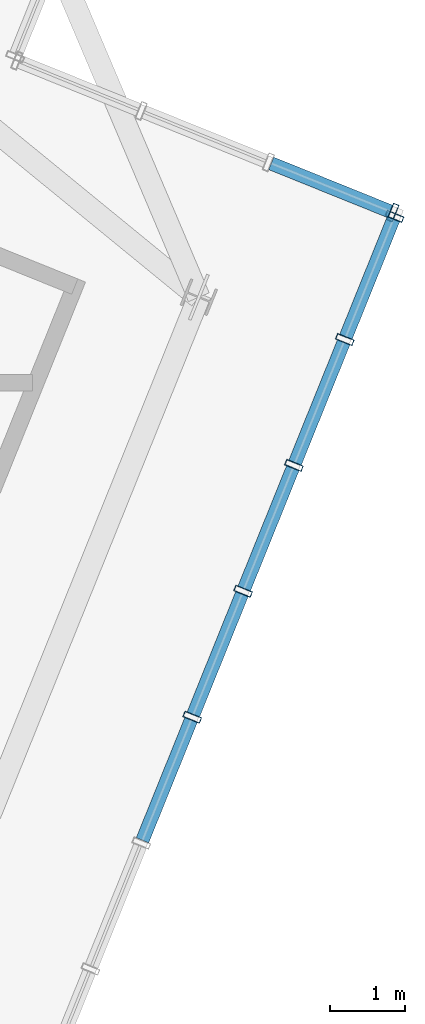
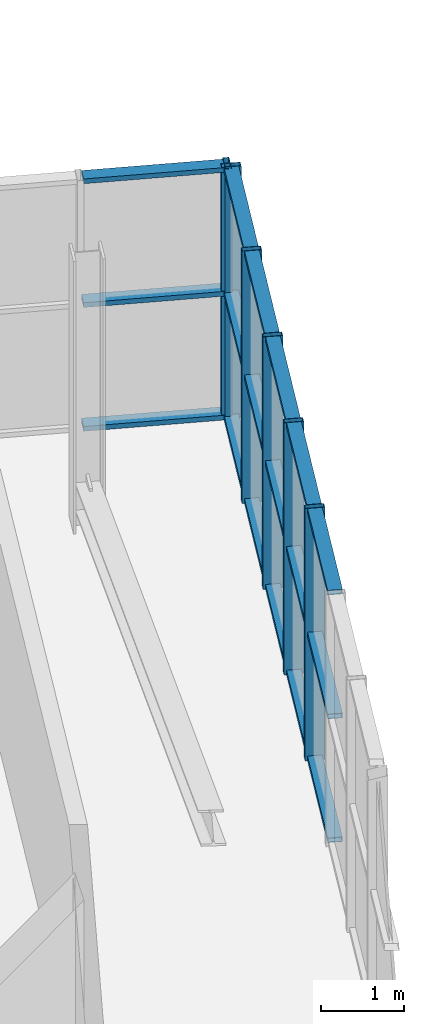
# One storey, part 11 of 26: 24 members, 2 elements without a shape of their own.
"""IFC4 building model written with IfcOpenShell, lengths in metres."""

import ifcopenshell
import ifcopenshell.guid

model = None  # the IFC model being written
_history = None  # IfcOwnerHistory: only IFC2X3 demands one
_inside = {}  # id of a spatial element -> (the spatial element, [elements in it])
_under = {}  # id of a project, library or spatial element -> (it, [spatial elements below it])
_declared = {}  # id of a project -> (the project, [libraries it declares])
_typed = {}  # id of a type object -> (the type object, [elements of that type])
_made_of = {}  # id of a material, layer set ... -> (it, [elements and type objects made of it])


def new_model(schema):
    """Start an empty IFC model of exactly this schema.

    Asked for "IFC4X3", IfcOpenShell would pick the latest addendum, in which some entities
    have other attributes; the version numbers below select the first issue.
    IFC2X3 requires an IfcOwnerHistory on every rooted entity: one is made here for all.
    """
    global model, _history
    if schema == "IFC4X3":
        model = ifcopenshell.file(schema_version=(4, 3, 0, 0))
    else:
        model = ifcopenshell.file(schema=schema)
    _inside.clear()
    _under.clear()
    _declared.clear()
    _typed.clear()
    _made_of.clear()
    _history = None
    if model.schema == "IFC2X3":
        org = make("IfcOrganization", Name="unknown")
        user = make(
            "IfcPersonAndOrganization",
            ThePerson=make("IfcPerson", FamilyName="unknown"),
            TheOrganization=org,
        )
        app = make(
            "IfcApplication",
            ApplicationDeveloper=org,
            Version="unknown",
            ApplicationFullName="unknown",
            ApplicationIdentifier="unknown",
        )
        _history = make(
            "IfcOwnerHistory",
            OwningUser=user,
            OwningApplication=app,
            ChangeAction="ADDED",
            CreationDate=0,
        )
    return model


def make(cls, **values):
    """One entity of the class cls with the attributes given. An attribute that is None is left unset."""
    return model.create_entity(
        cls, **{name: value for name, value in values.items() if value is not None}
    )


def rooted(cls, **values):
    """An entity with a GlobalId (a new one), such as an element, a storey or a relation."""
    return make(cls, GlobalId=ifcopenshell.guid.new(), OwnerHistory=_history, **values)


def si_unit(unit_type, name, prefix=None):
    """IfcSIUnit, for example si_unit("LENGTHUNIT", "METRE", prefix="MILLI")."""
    return make("IfcSIUnit", UnitType=unit_type, Prefix=prefix, Name=name)


def assignment(units):
    """IfcUnitAssignment: the units of a project."""
    return None if units is None else make("IfcUnitAssignment", Units=units)


def point(xyz):
    """IfcCartesianPoint."""
    return None if xyz is None else make("IfcCartesianPoint", Coordinates=xyz)


def direction(xyz):
    """IfcDirection."""
    return None if xyz is None else make("IfcDirection", DirectionRatios=xyz)


def frame(location, z_axis=None, x_axis=None):
    """IfcAxis2Placement3D, a coordinate frame: its origin and axes. An axis left out is left unset."""
    return make(
        "IfcAxis2Placement3D",
        Location=point(location),
        Axis=direction(z_axis),
        RefDirection=direction(x_axis),
    )


def frame_2d(location, x_axis=None):
    """IfcAxis2Placement2D, a coordinate frame in the plane: its origin and x axis."""
    return make(
        "IfcAxis2Placement2D", Location=point(location), RefDirection=direction(x_axis)
    )


def origin():
    """The frame at (0, 0, 0) with its axes left unset."""
    return frame((0.0, 0.0, 0.0))


def origin_2d():
    """The frame at (0, 0) in the plane with its x axis left unset."""
    return frame_2d((0.0, 0.0))


def place(relative_to, where):
    """IfcLocalPlacement: puts the frame where relative to a parent placement (None: the world)."""
    return make(
        "IfcLocalPlacement", PlacementRelTo=relative_to, RelativePlacement=where
    )


def context(
    kind, dimensions, precision=None, world=None, true_north=None, identifier=None
):
    """IfcGeometricRepresentationContext, for example the 3D "Model" context."""
    return make(
        "IfcGeometricRepresentationContext",
        ContextIdentifier=identifier,
        ContextType=kind,
        CoordinateSpaceDimension=dimensions,
        Precision=precision,
        WorldCoordinateSystem=world,
        TrueNorth=true_north,
    )


def subcontext(parent, identifier, kind, view, scale=None):
    """IfcGeometricRepresentationSubContext, for example "Body" below "Model"."""
    return make(
        "IfcGeometricRepresentationSubContext",
        ContextIdentifier=identifier,
        ContextType=kind,
        ParentContext=parent,
        TargetScale=scale,
        TargetView=view,
    )


def project(units=None, contexts=None):
    """IfcProject with its units and contexts."""
    return rooted(
        "IfcProject",
        Name="project",
        RepresentationContexts=contexts,
        UnitsInContext=assignment(units),
    )


def spatial(cls, under=None, at=None, **own):
    """A site, building, storey or space (cls), placed at a placement, below another one or the project."""
    s = rooted(cls, ObjectPlacement=at, **own)
    if under is not None:
        _under.setdefault(under.id(), (under, []))[1].append(s)
    return s


def profile(cls, at=None, kind="AREA", **sizes):
    """A parametric profile (cls). Its sizes go by their IFC names, for example OverallWidth=200.0."""
    return make(cls, ProfileType=kind, Position=at, **sizes)


def hollow_rectangle(**sizes):
    """IfcRectangleHollowProfileDef."""
    return profile("IfcRectangleHollowProfileDef", **sizes)


def extrude(swept, where, along, depth):
    """IfcExtrudedAreaSolid: the profile swept, set in the frame where, extruded along a direction by depth."""
    return make(
        "IfcExtrudedAreaSolid",
        SweptArea=swept,
        Position=where,
        ExtrudedDirection=direction(along),
        Depth=depth,
    )


def shape(context_of_items, identifier, shape_type, items):
    """IfcShapeRepresentation: the items that make up one representation, for example the "Body"."""
    return make(
        "IfcShapeRepresentation",
        ContextOfItems=context_of_items,
        RepresentationIdentifier=identifier,
        RepresentationType=shape_type,
        Items=items,
    )


def source(mapping_origin, context_of_items, identifier, shape_type, items):
    """IfcRepresentationMap: a shape defined once, which mapped items show again and again."""
    return make(
        "IfcRepresentationMap",
        MappingOrigin=mapping_origin,
        MappedRepresentation=shape(context_of_items, identifier, shape_type, items),
    )


def transform(
    local_origin,
    x_axis=None,
    y_axis=None,
    z_axis=None,
    scale=None,
    scale2=None,
    scale3=None,
    uniform=True,
):
    """IfcCartesianTransformationOperator3D, or its non-uniform kind. x_axis, y_axis, z_axis: its Axis1, 2, 3."""
    if uniform:
        return make(
            "IfcCartesianTransformationOperator3D",
            Axis1=direction(x_axis),
            Axis2=direction(y_axis),
            LocalOrigin=point(local_origin),
            Scale=scale,
            Axis3=direction(z_axis),
        )
    return make(
        "IfcCartesianTransformationOperator3DnonUniform",
        Axis1=direction(x_axis),
        Axis2=direction(y_axis),
        LocalOrigin=point(local_origin),
        Scale=scale,
        Axis3=direction(z_axis),
        Scale2=scale2,
        Scale3=scale3,
    )


def mapped(mapping_source, mapping_target):
    """IfcMappedItem: shows the shape of a source again, moved by a transform."""
    return make(
        "IfcMappedItem", MappingSource=mapping_source, MappingTarget=mapping_target
    )


def material(Name=None, Category=None):
    """IfcMaterial."""
    return make("IfcMaterial", Name=Name, Category=Category)


def layer(
    of_material, thickness, ventilated=None, Name=None, Category=None, Priority=None
):
    """IfcMaterialLayer: one layer of a wall or slab, of a material (None: an air gap)."""
    return make(
        "IfcMaterialLayer",
        Material=of_material,
        LayerThickness=thickness,
        IsVentilated=ventilated,
        Name=Name,
        Category=Category,
        Priority=Priority,
    )


def layer_set(layers, Name=None):
    """IfcMaterialLayerSet."""
    return make("IfcMaterialLayerSet", MaterialLayers=layers, LayerSetName=Name)


def material_profile(
    of_material, cross_section, Name=None, Category=None, Priority=None
):
    """IfcMaterialProfile: a cross section and its material."""
    return make(
        "IfcMaterialProfile",
        Name=Name,
        Material=of_material,
        Profile=cross_section,
        Priority=Priority,
        Category=Category,
    )


def profile_set(profiles, Name=None, composite=None):
    """IfcMaterialProfileSet."""
    return make(
        "IfcMaterialProfileSet",
        Name=Name,
        MaterialProfiles=profiles,
        CompositeProfile=composite,
    )


def made_of(thing, what):
    """Note that an element or type object is made of a material, layer set ...; save() writes the relation."""
    if what is not None:
        _made_of.setdefault(what.id(), (what, []))[1].append(thing)
    return thing


def type_object(cls, material=None, **own):
    """A type object (cls), such as IfcWallType, which elements share."""
    return made_of(rooted(cls, **own), material)


def element(
    cls,
    number,
    at=None,
    inside=None,
    cuts=None,
    type_object=None,
    material=None,
    context=None,
    identifier="Body",
    shape_type=None,
    held_by="IfcProductDefinitionShape",
    body=None,
    shapes=None,
    **own,
):
    """One element of the class cls, such as IfcWall. Its Tag is "e" and its number.

    at: its placement. inside: the storey or other place that contains it. cuts: it is an
    opening in that element (IfcRelVoidsElement). A single representation is given by context,
    identifier, shape_type and body (its items); several are given by shapes. held_by: the class
    of the entity that holds the representations. save() writes the other relations.
    """
    e = rooted(cls, Tag="e%d" % number, ObjectPlacement=at, **own)
    if body is not None:
        shapes = [shape(context, identifier, shape_type, body)]
    if shapes is not None:
        e.Representation = make(held_by, Representations=shapes)
    if inside is not None:
        _inside.setdefault(inside.id(), (inside, []))[1].append(e)
    if cuts is not None:
        rooted(
            "IfcRelVoidsElement", RelatingBuildingElement=cuts, RelatedOpeningElement=e
        )
    if type_object is not None:
        _typed.setdefault(type_object.id(), (type_object, []))[1].append(e)
    return made_of(e, material)


def aggregate(whole, parts):
    """IfcRelAggregates: a whole, such as a stair, and the parts it consists of."""
    return rooted("IfcRelAggregates", RelatingObject=whole, RelatedObjects=parts)


def save(model, path):
    """Write the relations noted so far, then the file.

    IfcRelAggregates (storeys below a building ...), IfcRelContainedInSpatialStructure (elements
    in a storey), IfcRelDefinesByType, IfcRelAssociatesMaterial and IfcRelDeclares: one each for
    every whole, place, type object, material and project.
    """
    for whole, parts in _under.values():
        aggregate(whole, parts)
    for where, things in _inside.values():
        rooted(
            "IfcRelContainedInSpatialStructure",
            RelatedElements=things,
            RelatingStructure=where,
        )
    for kind, things in _typed.values():
        rooted("IfcRelDefinesByType", RelatedObjects=things, RelatingType=kind)
    for what, things in _made_of.values():
        rooted("IfcRelAssociatesMaterial", RelatedObjects=things, RelatingMaterial=what)
    for by, libraries in _declared.values():
        rooted("IfcRelDeclares", RelatingContext=by, RelatedDefinitions=libraries)
    model.write(path)


model = new_model("IFC4")

# Units and contexts
model_context = context("Model", 3, precision=1e-05, world=origin(), true_north=direction((0.0, 1.0)))
body_context = subcontext(model_context, "Body", "Model", "MODEL_VIEW")
ifc_project = project(units=[si_unit("LENGTHUNIT", "METRE"), si_unit("AREAUNIT", "SQUARE_METRE"), si_unit("VOLUMEUNIT", "CUBIC_METRE"), si_unit("PLANEANGLEUNIT", "RADIAN"), si_unit("MASSUNIT", "GRAM", prefix="KILO"), si_unit("THERMODYNAMICTEMPERATUREUNIT", "KELVIN")], contexts=[model_context])

# Site, building, storey
site_placement = place(None, origin())
site = spatial("IfcSite", under=ifc_project, at=site_placement, CompositionType="ELEMENT")
building_placement = place(site_placement, origin())
building = spatial("IfcBuilding", under=site, at=building_placement, Name="Kosmvard Interchange Tower", CompositionType="ELEMENT")
storey_placement = place(building_placement, frame((0.0, 0.0, 337.60009765625)))
storey = spatial("IfcBuildingStorey", under=building, at=storey_placement, Name="L83", CompositionType="ELEMENT", Elevation=337.60009765625)

# Curtain wall, members
ifc_material = material(Name="Architectural anodised aluminium", Category="aluminium")
ifc_layer = layer(ifc_material, 0.25, Name="Architectural anodised aluminium")
ifc_layer_set = layer_set([ifc_layer], Name="Architectural anodised aluminium")
curtain_wall_type = type_object("IfcCurtainWallType", Name="CW-6 Illuminated Crown Lantern Curtain Wall", PredefinedType="NOTDEFINED", material=ifc_layer_set)
curtain_wall_1_placement = place(storey_placement, origin())
curtain_wall_1 = element("IfcCurtainWall", 1, at=curtain_wall_1_placement, inside=storey, type_object=curtain_wall_type, Name="L83 Crown Lantern Glazing Face 01", PredefinedType="NOTDEFINED")
ifc_material_profile_1 = material_profile(ifc_material, hollow_rectangle(XDim=0.239990234375, YDim=0.080078125, WallThickness=0.006103515625, at=origin_2d()), Name="CWM 240x80x6")
ifc_profile_set_1 = profile_set([ifc_material_profile_1], Name="Architectural anodised aluminium")
member_type_1 = type_object("IfcMemberType", Name="Lantern & Observation CW Mullion 240x80 Aluminium", PredefinedType="MULLION", material=ifc_profile_set_1)
shared_shape_1 = source(origin(), body_context, "Body", "SweptSolid", [
    extrude(hollow_rectangle(XDim=0.239990234375, YDim=0.080078125, WallThickness=0.006103515625, at=origin_2d()), origin(), (0.0, 0.0, 1.0), 3.699951171875),
])
member_1_placement = place(storey_placement, frame((22.454833984375, -0.267578125, 0.0), z_axis=(0.0, 0.0, 1.0), x_axis=(-0.927183858065, 0.374606584758, 0.0)))
member_1 = element("IfcMember", 2, at=member_1_placement, type_object=member_type_1, Name="CW-6 mullion 14", PredefinedType="MULLION", context=body_context, shape_type="MappedRepresentation", body=[
    mapped(shared_shape_1, transform((0.0, 0.0, 0.0), scale=1.0)),
])
member_2_placement = place(storey_placement, frame((23.13427734375, 1.414306640625, 0.0), z_axis=(0.0, 0.0, 1.0), x_axis=(-0.927183858065, 0.374606584758, 0.0)))
member_2 = element("IfcMember", 3, at=member_2_placement, type_object=member_type_1, Name="CW-6 mullion 15", PredefinedType="MULLION", context=body_context, shape_type="MappedRepresentation", body=[
    mapped(shared_shape_1, transform((0.0, 0.0, 0.0), scale=1.0)),
])
member_3_placement = place(storey_placement, frame((23.81396484375, 3.096435546875, 0.0), z_axis=(0.0, 0.0, 1.0), x_axis=(-0.927183858065, 0.374606584758, 0.0)))
member_3 = element("IfcMember", 4, at=member_3_placement, type_object=member_type_1, Name="CW-6 mullion 16", PredefinedType="MULLION", context=body_context, shape_type="MappedRepresentation", body=[
    mapped(shared_shape_1, transform((0.0, 0.0, 0.0), scale=1.0)),
])
member_4_placement = place(storey_placement, frame((24.49365234375, 4.7783203125, 0.0), z_axis=(0.0, 0.0, 1.0), x_axis=(-0.927183858065, 0.374606584758, 0.0)))
member_4 = element("IfcMember", 5, at=member_4_placement, type_object=member_type_1, Name="CW-6 mullion 17", PredefinedType="MULLION", context=body_context, shape_type="MappedRepresentation", body=[
    mapped(shared_shape_1, transform((0.0, 0.0, 0.0), scale=1.0)),
])
member_5_placement = place(storey_placement, frame((25.158203125, 6.42333984375, 0.0), z_axis=(0.0, 0.0, 1.0), x_axis=(-0.927183858065, 0.374606584758, 0.0)))
member_5 = element("IfcMember", 6, at=member_5_placement, type_object=member_type_1, Name="CW-6 mullion 18", PredefinedType="MULLION", context=body_context, shape_type="MappedRepresentation", body=[
    mapped(shared_shape_1, transform((0.0, 0.0, 0.0), scale=1.0)),
])

# Curtain wall, member
curtain_wall_2_placement = place(storey_placement, origin())
curtain_wall_2 = element("IfcCurtainWall", 7, at=curtain_wall_2_placement, inside=storey, type_object=curtain_wall_type, Name="L83 Crown Lantern Glazing Face 02", PredefinedType="NOTDEFINED")
member_6_placement = place(storey_placement, frame((25.135986328125, 6.475341796875, 0.0), z_axis=(0.0, 0.0, 1.0), x_axis=(-0.374606564822, -0.92718386612, 0.0)))
member_6 = element("IfcMember", 8, at=member_6_placement, type_object=member_type_1, Name="CW-6 mullion 1", PredefinedType="MULLION", context=body_context, shape_type="MappedRepresentation", body=[
    mapped(shared_shape_1, transform((0.0, 0.0, 0.0), scale=1.0)),
])

# Member
ifc_material_profile_2 = material_profile(ifc_material, hollow_rectangle(XDim=0.179931640625, YDim=0.070068359375, WallThickness=0.0048828125, at=origin_2d()), Name="CWT 180x70x5")
ifc_profile_set_2 = profile_set([ifc_material_profile_2], Name="Architectural anodised aluminium")
member_type_2 = type_object("IfcMemberType", Name="Heavy Lantern CW Transom 180x70 Aluminium", PredefinedType="USERDEFINED", material=ifc_profile_set_2)
shared_shape_2 = source(origin(), body_context, "Body", "SweptSolid", [
    extrude(hollow_rectangle(XDim=0.179931640625, YDim=0.070068359375, WallThickness=0.0048828125, at=origin_2d()), origin(), (0.0, 0.0, 1.0), 1.694091796875),
])
member_7_placement = place(storey_placement, frame((24.508544921875, 4.8154296875, 0.034912109375), z_axis=(0.374544061831, 0.927209116514, 0.0), x_axis=(-0.927209116514, 0.374544061831, 0.0)))
member_7 = element("IfcMember", 9, at=member_7_placement, type_object=member_type_2, Name="CW-6 transom 17.1", ObjectType="TRANSOM", PredefinedType="USERDEFINED", context=body_context, shape_type="MappedRepresentation", body=[
    mapped(shared_shape_2, transform((0.0, 0.0, 0.0), scale=1.0)),
])

member_8_placement = place(storey_placement, frame((24.508544921875, 4.8154296875, 1.849853515625), z_axis=(0.374544061831, 0.927209116514, 0.0), x_axis=(-0.927209116514, 0.374544061831, 0.0)))
member_8 = element("IfcMember", 10, at=member_8_placement, type_object=member_type_2, Name="CW-6 transom 17.2", ObjectType="TRANSOM", PredefinedType="USERDEFINED", context=body_context, shape_type="MappedRepresentation", body=[
    mapped(shared_shape_2, transform((0.0, 0.0, 0.0), scale=1.0)),
])

member_9_placement = place(storey_placement, frame((24.508544921875, 4.8154296875, 3.664794921875), z_axis=(0.374544061831, 0.927209116514, 0.0), x_axis=(-0.927209116514, 0.374544061831, 0.0)))
member_9 = element("IfcMember", 11, at=member_9_placement, type_object=member_type_2, Name="CW-6 transom 17.3", ObjectType="TRANSOM", PredefinedType="USERDEFINED", context=body_context, shape_type="MappedRepresentation", body=[
    mapped(shared_shape_2, transform((0.0, 0.0, 0.0), scale=1.0)),
])

shared_shape_3 = source(origin(), body_context, "Body", "SweptSolid", [
    extrude(hollow_rectangle(XDim=0.179931640625, YDim=0.070068359375, WallThickness=0.0048828125, at=origin_2d()), origin(), (0.0, 0.0, 1.0), 1.734130859375),
])
member_10_placement = place(storey_placement, frame((21.790283203125, -1.91259765625, 0.034912109375), z_axis=(0.374495638732, 0.927228675447, 0.0), x_axis=(-0.927228675447, 0.374495638732, 0.0)))
member_10 = element("IfcMember", 12, at=member_10_placement, type_object=member_type_2, Name="CW-6 transom 13.1", ObjectType="TRANSOM", PredefinedType="USERDEFINED", context=body_context, shape_type="MappedRepresentation", body=[
    mapped(shared_shape_3, transform((0.0, 0.0, 0.0), scale=1.0)),
])

member_11_placement = place(storey_placement, frame((21.790283203125, -1.91259765625, 1.849853515625), z_axis=(0.374495638732, 0.927228675447, 0.0), x_axis=(-0.927228675447, 0.374495638732, 0.0)))
member_11 = element("IfcMember", 13, at=member_11_placement, type_object=member_type_2, Name="CW-6 transom 13.2", ObjectType="TRANSOM", PredefinedType="USERDEFINED", context=body_context, shape_type="MappedRepresentation", body=[
    mapped(shared_shape_3, transform((0.0, 0.0, 0.0), scale=1.0)),
])

member_12_placement = place(storey_placement, frame((21.790283203125, -1.91259765625, 3.664794921875), z_axis=(0.374495638732, 0.927228675447, 0.0), x_axis=(-0.927228675447, 0.374495638732, 0.0)))
member_12 = element("IfcMember", 14, at=member_12_placement, type_object=member_type_2, Name="CW-6 transom 13.3", ObjectType="TRANSOM", PredefinedType="USERDEFINED", context=body_context, shape_type="MappedRepresentation", body=[
    mapped(shared_shape_3, transform((0.0, 0.0, 0.0), scale=1.0)),
])

member_13_placement = place(storey_placement, frame((23.1494140625, 1.451416015625, 0.034912109375), z_axis=(0.374616671924, 0.927179782522, 0.0), x_axis=(-0.927179782522, 0.374616671924, 0.0)))
member_13 = element("IfcMember", 15, at=member_13_placement, type_object=member_type_2, Name="CW-6 transom 15.1", ObjectType="TRANSOM", PredefinedType="USERDEFINED", context=body_context, shape_type="MappedRepresentation", body=[
    mapped(shared_shape_3, transform((0.0, 0.0, 0.0), scale=1.0)),
])

member_14_placement = place(storey_placement, frame((23.1494140625, 1.451416015625, 1.849853515625), z_axis=(0.374616671924, 0.927179782522, 0.0), x_axis=(-0.927179782522, 0.374616671924, 0.0)))
member_14 = element("IfcMember", 16, at=member_14_placement, type_object=member_type_2, Name="CW-6 transom 15.2", ObjectType="TRANSOM", PredefinedType="USERDEFINED", context=body_context, shape_type="MappedRepresentation", body=[
    mapped(shared_shape_3, transform((0.0, 0.0, 0.0), scale=1.0)),
])

member_15_placement = place(storey_placement, frame((23.1494140625, 1.451416015625, 3.664794921875), z_axis=(0.374616671924, 0.927179782522, 0.0), x_axis=(-0.927179782522, 0.374616671924, 0.0)))
member_15 = element("IfcMember", 17, at=member_15_placement, type_object=member_type_2, Name="CW-6 transom 15.3", ObjectType="TRANSOM", PredefinedType="USERDEFINED", context=body_context, shape_type="MappedRepresentation", body=[
    mapped(shared_shape_3, transform((0.0, 0.0, 0.0), scale=1.0)),
])

shared_shape_4 = source(origin(), body_context, "Body", "SweptSolid", [
    extrude(hollow_rectangle(XDim=0.179931640625, YDim=0.070068359375, WallThickness=0.0048828125, at=origin_2d()), origin(), (0.0, 0.0, 1.0), 1.73388671875),
])
member_16_placement = place(storey_placement, frame((22.4697265625, -0.23046875, 0.034912109375), z_axis=(0.374665576032, 0.927160021861, 0.0), x_axis=(-0.927160021861, 0.374665576032, 0.0)))
member_16 = element("IfcMember", 18, at=member_16_placement, type_object=member_type_2, Name="CW-6 transom 14.1", ObjectType="TRANSOM", PredefinedType="USERDEFINED", context=body_context, shape_type="MappedRepresentation", body=[
    mapped(shared_shape_4, transform((0.0, 0.0, 0.0), scale=1.0)),
])

member_17_placement = place(storey_placement, frame((22.4697265625, -0.23046875, 1.849853515625), z_axis=(0.374665576032, 0.927160021861, 0.0), x_axis=(-0.927160021861, 0.374665576032, 0.0)))
member_17 = element("IfcMember", 19, at=member_17_placement, type_object=member_type_2, Name="CW-6 transom 14.2", ObjectType="TRANSOM", PredefinedType="USERDEFINED", context=body_context, shape_type="MappedRepresentation", body=[
    mapped(shared_shape_4, transform((0.0, 0.0, 0.0), scale=1.0)),
])

member_18_placement = place(storey_placement, frame((22.4697265625, -0.23046875, 3.664794921875), z_axis=(0.374665576032, 0.927160021861, 0.0), x_axis=(-0.927160021861, 0.374665576032, 0.0)))
member_18 = element("IfcMember", 20, at=member_18_placement, type_object=member_type_2, Name="CW-6 transom 14.3", ObjectType="TRANSOM", PredefinedType="USERDEFINED", context=body_context, shape_type="MappedRepresentation", body=[
    mapped(shared_shape_4, transform((0.0, 0.0, 0.0), scale=1.0)),
])

member_19_placement = place(storey_placement, frame((23.828857421875, 3.133544921875, 0.034912109375), z_axis=(0.374665576032, 0.927160021861, 0.0), x_axis=(-0.927160021861, 0.374665576032, 0.0)))
member_19 = element("IfcMember", 21, at=member_19_placement, type_object=member_type_2, Name="CW-6 transom 16.1", ObjectType="TRANSOM", PredefinedType="USERDEFINED", context=body_context, shape_type="MappedRepresentation", body=[
    mapped(shared_shape_4, transform((0.0, 0.0, 0.0), scale=1.0)),
])

member_20_placement = place(storey_placement, frame((23.828857421875, 3.133544921875, 1.849853515625), z_axis=(0.374665576032, 0.927160021861, 0.0), x_axis=(-0.927160021861, 0.374665576032, 0.0)))
member_20 = element("IfcMember", 22, at=member_20_placement, type_object=member_type_2, Name="CW-6 transom 16.2", ObjectType="TRANSOM", PredefinedType="USERDEFINED", context=body_context, shape_type="MappedRepresentation", body=[
    mapped(shared_shape_4, transform((0.0, 0.0, 0.0), scale=1.0)),
])

member_21_placement = place(storey_placement, frame((23.828857421875, 3.133544921875, 3.664794921875), z_axis=(0.374665576032, 0.927160021861, 0.0), x_axis=(-0.927160021861, 0.374665576032, 0.0)))
member_21 = element("IfcMember", 23, at=member_21_placement, type_object=member_type_2, Name="CW-6 transom 16.3", ObjectType="TRANSOM", PredefinedType="USERDEFINED", context=body_context, shape_type="MappedRepresentation", body=[
    mapped(shared_shape_4, transform((0.0, 0.0, 0.0), scale=1.0)),
])

aggregate(curtain_wall_1, [member_1, member_2, member_3, member_4, member_5, member_10, member_11, member_12, member_16, member_17, member_18, member_13, member_14, member_15, member_19, member_20, member_21, member_7, member_8, member_9])

shared_shape_5 = source(origin(), body_context, "Body", "SweptSolid", [
    extrude(hollow_rectangle(XDim=0.179931640625, YDim=0.070068359375, WallThickness=0.0048828125, at=origin_2d()), origin(), (0.0, 0.0, 1.0), 1.71337890625),
])
member_22_placement = place(storey_placement, frame((25.098876953125, 6.490478515625, 0.034912109375), z_axis=(-0.927233273404, 0.374484254265, 0.0), x_axis=(-0.374484254265, -0.927233273404, 0.0)))
member_22 = element("IfcMember", 24, at=member_22_placement, type_object=member_type_2, Name="CW-6 transom 1.1", ObjectType="TRANSOM", PredefinedType="USERDEFINED", context=body_context, shape_type="MappedRepresentation", body=[
    mapped(shared_shape_5, transform((0.0, 0.0, 0.0), scale=1.0)),
])

member_23_placement = place(storey_placement, frame((25.098876953125, 6.490478515625, 1.849853515625), z_axis=(-0.927233273404, 0.374484254265, 0.0), x_axis=(-0.374484254265, -0.927233273404, 0.0)))
member_23 = element("IfcMember", 25, at=member_23_placement, type_object=member_type_2, Name="CW-6 transom 1.2", ObjectType="TRANSOM", PredefinedType="USERDEFINED", context=body_context, shape_type="MappedRepresentation", body=[
    mapped(shared_shape_5, transform((0.0, 0.0, 0.0), scale=1.0)),
])

member_24_placement = place(storey_placement, frame((25.098876953125, 6.490478515625, 3.664794921875), z_axis=(-0.927233273404, 0.374484254265, 0.0), x_axis=(-0.374484254265, -0.927233273404, 0.0)))
member_24 = element("IfcMember", 26, at=member_24_placement, type_object=member_type_2, Name="CW-6 transom 1.3", ObjectType="TRANSOM", PredefinedType="USERDEFINED", context=body_context, shape_type="MappedRepresentation", body=[
    mapped(shared_shape_5, transform((0.0, 0.0, 0.0), scale=1.0)),
])

aggregate(curtain_wall_2, [member_6, member_22, member_23, member_24])

save(model, "model.ifc")
